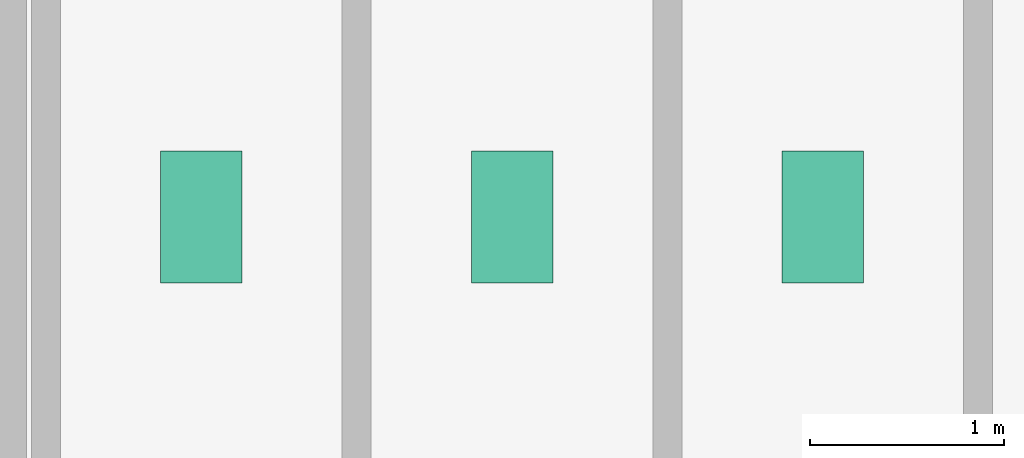
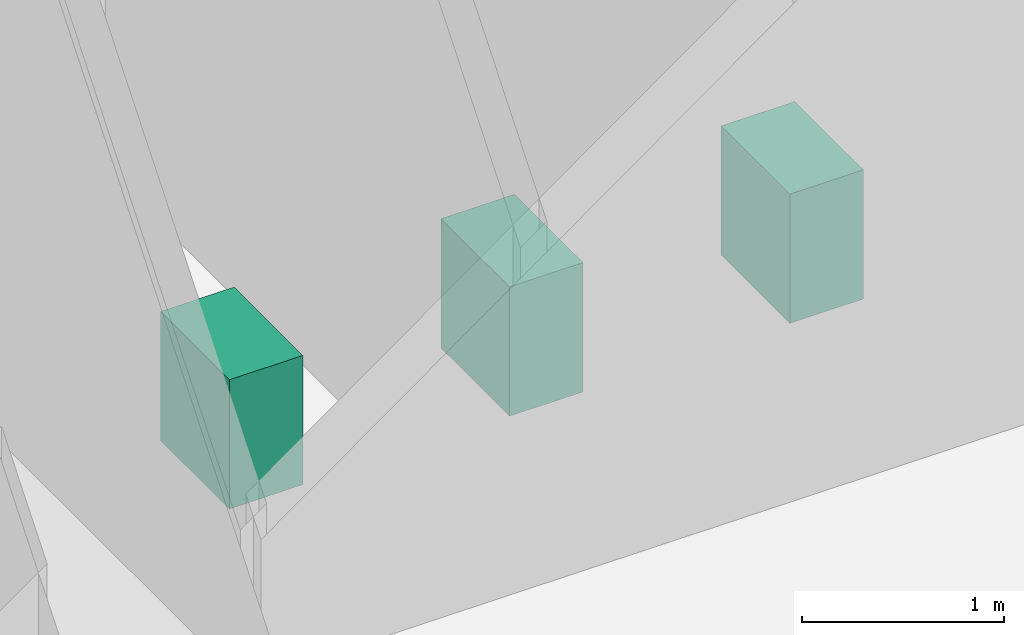
# One storey, part 23 of 23: 3 sanitary terminals.
"""IFC4 building model written with IfcOpenShell, lengths in metres."""

from ifc_helpers import new_model, si_unit, derived_unit, direction, frame, origin, origin_2d, place, context, subcontext, project, spatial, rectangle, extrude, source, transform, mapped, material, type_object, element, save


model = new_model("IFC4")

# Units and contexts
model_context = context("Model", 3, precision=1e-05, world=origin(), true_north=direction((0.0, 1.0)))
body_context = subcontext(model_context, "Body", "Model", "MODEL_VIEW")
ifc_project = project(units=[si_unit("LENGTHUNIT", "METRE"), si_unit("AREAUNIT", "SQUARE_METRE"), si_unit("VOLUMEUNIT", "CUBIC_METRE"), si_unit("PLANEANGLEUNIT", "RADIAN"), si_unit("MASSUNIT", "GRAM", prefix="KILO"), derived_unit("THERMALTRANSMITTANCEUNIT", [(si_unit("POWERUNIT", "WATT"), 1), (si_unit("LENGTHUNIT", "METRE"), -2), (si_unit("THERMODYNAMICTEMPERATUREUNIT", "KELVIN"), -1)])], contexts=[model_context])

# Site, building, storey
site_placement = place(None, origin())
site = spatial("IfcSite", under=ifc_project, at=site_placement, CompositionType="ELEMENT")
building_placement = place(site_placement, origin())
building = spatial("IfcBuilding", under=site, at=building_placement, Name="Skarnbrae Concourse Arena and Tower", CompositionType="ELEMENT")
storey_placement = place(building_placement, frame((0.0, 0.0, 50.75)))
storey = spatial("IfcBuildingStorey", under=building, at=storey_placement, Name="L11", CompositionType="ELEMENT", Elevation=50.75)

# Sanitary terminals
ifc_material = material(Name="Vitreous china sanitaryware", Category="other")
sanitary_terminal_type = type_object("IfcSanitaryTerminalType", Name="SAN-WC-VITREOUS", PredefinedType="TOILETPAN", material=ifc_material)
shared_shape = source(origin(), body_context, "Body", "SweptSolid", [
    extrude(rectangle(XDim=0.419921875, YDim=0.679931640625, at=origin_2d()), origin(), (0.0, 0.0, 1.0), 0.780029296875),
])
for number, where, z_axis, x_axis, name in (
    (1, (35.0, 11.39990234375, 0.0), (0.0, 0.0, 1.0), (1.0, 0.0, 0.0), "L11 Washroom WC fixture 1"),
    (2, (36.60009765625, 11.39990234375, 0.0), (0.0, 0.0, 1.0), (1.0, 0.0, 0.0), "L11 Washroom WC fixture 2"),
    (3, (38.199951171875, 11.39990234375, 0.0), (0.0, 0.0, 1.0), (1.0, 0.0, 0.0), "L11 Washroom WC fixture 3"),
):
    element("IfcSanitaryTerminal", number, at=place(storey_placement, frame(where, z_axis=z_axis, x_axis=x_axis)), inside=storey, type_object=sanitary_terminal_type, Name=name, PredefinedType="TOILETPAN", context=body_context, shape_type="MappedRepresentation", body=[
        mapped(shared_shape, transform((0.0, 0.0, 0.0))),
    ])

save(model, "model.ifc")
